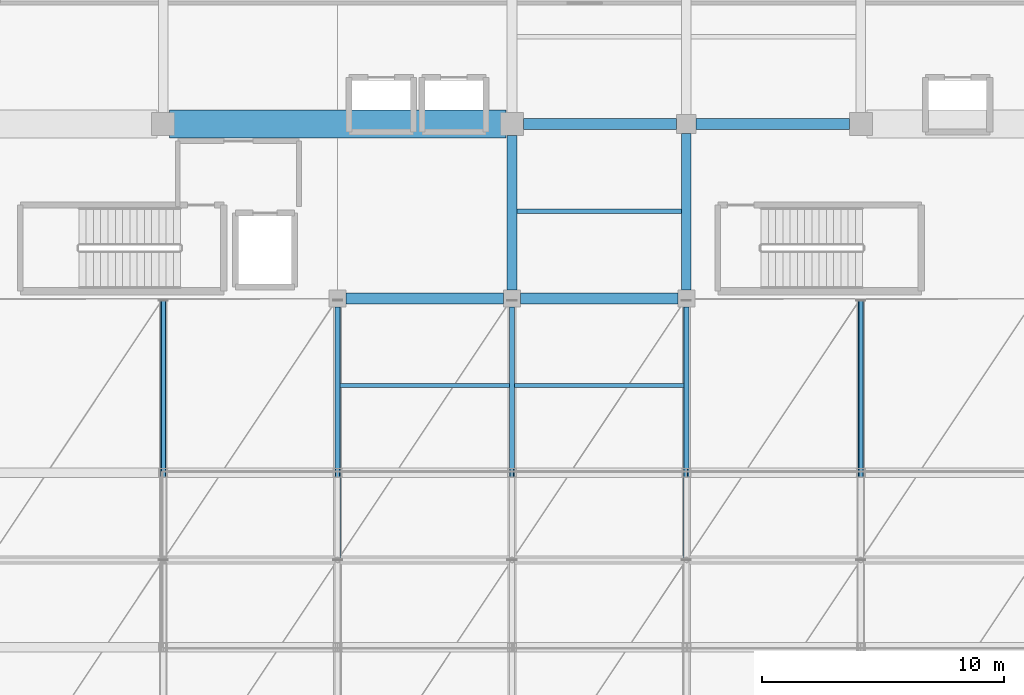
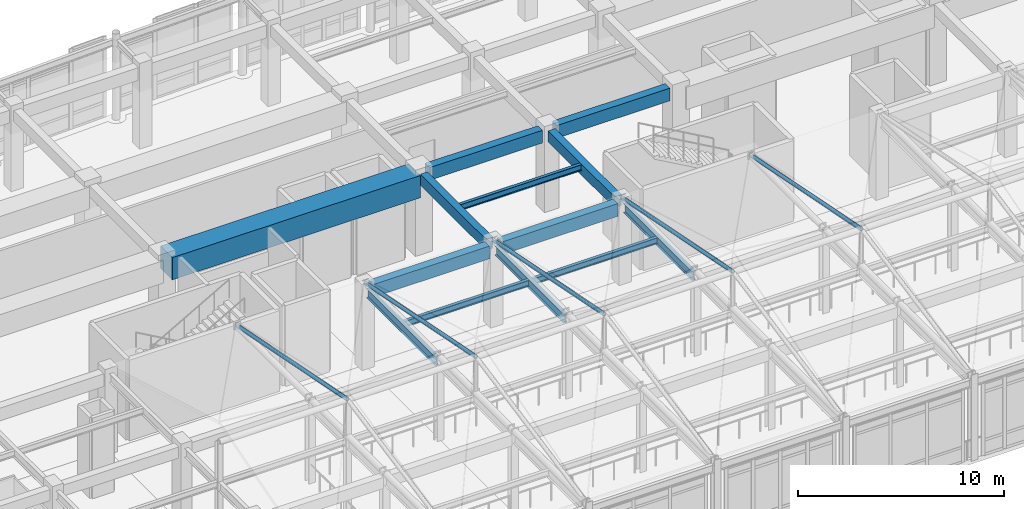
# One storey, part 41 of 117: 13 beams, 5 members.
"""IFC4 building model written with IfcOpenShell, lengths in metres."""

import ifcopenshell
import ifcopenshell.guid

model = None  # the IFC model being written
_history = None  # IfcOwnerHistory: only IFC2X3 demands one
_inside = {}  # id of a spatial element -> (the spatial element, [elements in it])
_under = {}  # id of a project, library or spatial element -> (it, [spatial elements below it])
_declared = {}  # id of a project -> (the project, [libraries it declares])
_typed = {}  # id of a type object -> (the type object, [elements of that type])
_made_of = {}  # id of a material, layer set ... -> (it, [elements and type objects made of it])


def new_model(schema):
    """Start an empty IFC model of exactly this schema.

    Asked for "IFC4X3", IfcOpenShell would pick the latest addendum, in which some entities
    have other attributes; the version numbers below select the first issue.
    IFC2X3 requires an IfcOwnerHistory on every rooted entity: one is made here for all.
    """
    global model, _history
    if schema == "IFC4X3":
        model = ifcopenshell.file(schema_version=(4, 3, 0, 0))
    else:
        model = ifcopenshell.file(schema=schema)
    _inside.clear()
    _under.clear()
    _declared.clear()
    _typed.clear()
    _made_of.clear()
    _history = None
    if model.schema == "IFC2X3":
        org = make("IfcOrganization", Name="unknown")
        user = make(
            "IfcPersonAndOrganization",
            ThePerson=make("IfcPerson", FamilyName="unknown"),
            TheOrganization=org,
        )
        app = make(
            "IfcApplication",
            ApplicationDeveloper=org,
            Version="unknown",
            ApplicationFullName="unknown",
            ApplicationIdentifier="unknown",
        )
        _history = make(
            "IfcOwnerHistory",
            OwningUser=user,
            OwningApplication=app,
            ChangeAction="ADDED",
            CreationDate=0,
        )
    return model


def make(cls, **values):
    """One entity of the class cls with the attributes given. An attribute that is None is left unset."""
    return model.create_entity(
        cls, **{name: value for name, value in values.items() if value is not None}
    )


def rooted(cls, **values):
    """An entity with a GlobalId (a new one), such as an element, a storey or a relation."""
    return make(cls, GlobalId=ifcopenshell.guid.new(), OwnerHistory=_history, **values)


def si_unit(unit_type, name, prefix=None):
    """IfcSIUnit, for example si_unit("LENGTHUNIT", "METRE", prefix="MILLI")."""
    return make("IfcSIUnit", UnitType=unit_type, Prefix=prefix, Name=name)


def assignment(units):
    """IfcUnitAssignment: the units of a project."""
    return None if units is None else make("IfcUnitAssignment", Units=units)


def point(xyz):
    """IfcCartesianPoint."""
    return None if xyz is None else make("IfcCartesianPoint", Coordinates=xyz)


def direction(xyz):
    """IfcDirection."""
    return None if xyz is None else make("IfcDirection", DirectionRatios=xyz)


def frame(location, z_axis=None, x_axis=None):
    """IfcAxis2Placement3D, a coordinate frame: its origin and axes. An axis left out is left unset."""
    return make(
        "IfcAxis2Placement3D",
        Location=point(location),
        Axis=direction(z_axis),
        RefDirection=direction(x_axis),
    )


def frame_2d(location, x_axis=None):
    """IfcAxis2Placement2D, a coordinate frame in the plane: its origin and x axis."""
    return make(
        "IfcAxis2Placement2D", Location=point(location), RefDirection=direction(x_axis)
    )


def origin():
    """The frame at (0, 0, 0) with its axes left unset."""
    return frame((0.0, 0.0, 0.0))


def origin_2d():
    """The frame at (0, 0) in the plane with its x axis left unset."""
    return frame_2d((0.0, 0.0))


def place(relative_to, where):
    """IfcLocalPlacement: puts the frame where relative to a parent placement (None: the world)."""
    return make(
        "IfcLocalPlacement", PlacementRelTo=relative_to, RelativePlacement=where
    )


def context(
    kind, dimensions, precision=None, world=None, true_north=None, identifier=None
):
    """IfcGeometricRepresentationContext, for example the 3D "Model" context."""
    return make(
        "IfcGeometricRepresentationContext",
        ContextIdentifier=identifier,
        ContextType=kind,
        CoordinateSpaceDimension=dimensions,
        Precision=precision,
        WorldCoordinateSystem=world,
        TrueNorth=true_north,
    )


def subcontext(parent, identifier, kind, view, scale=None):
    """IfcGeometricRepresentationSubContext, for example "Body" below "Model"."""
    return make(
        "IfcGeometricRepresentationSubContext",
        ContextIdentifier=identifier,
        ContextType=kind,
        ParentContext=parent,
        TargetScale=scale,
        TargetView=view,
    )


def project(units=None, contexts=None):
    """IfcProject with its units and contexts."""
    return rooted(
        "IfcProject",
        Name="project",
        RepresentationContexts=contexts,
        UnitsInContext=assignment(units),
    )


def spatial(cls, under=None, at=None, **own):
    """A site, building, storey or space (cls), placed at a placement, below another one or the project."""
    s = rooted(cls, ObjectPlacement=at, **own)
    if under is not None:
        _under.setdefault(under.id(), (under, []))[1].append(s)
    return s


def profile(cls, at=None, kind="AREA", **sizes):
    """A parametric profile (cls). Its sizes go by their IFC names, for example OverallWidth=200.0."""
    return make(cls, ProfileType=kind, Position=at, **sizes)


def rectangle(**sizes):
    """IfcRectangleProfileDef."""
    return profile("IfcRectangleProfileDef", **sizes)


def hollow_circle(**sizes):
    """IfcCircleHollowProfileDef."""
    return profile("IfcCircleHollowProfileDef", **sizes)


def i_section(**sizes):
    """IfcIShapeProfileDef."""
    return profile("IfcIShapeProfileDef", **sizes)


def extrude(swept, where, along, depth):
    """IfcExtrudedAreaSolid: the profile swept, set in the frame where, extruded along a direction by depth."""
    return make(
        "IfcExtrudedAreaSolid",
        SweptArea=swept,
        Position=where,
        ExtrudedDirection=direction(along),
        Depth=depth,
    )


def shape(context_of_items, identifier, shape_type, items):
    """IfcShapeRepresentation: the items that make up one representation, for example the "Body"."""
    return make(
        "IfcShapeRepresentation",
        ContextOfItems=context_of_items,
        RepresentationIdentifier=identifier,
        RepresentationType=shape_type,
        Items=items,
    )


def material(Name=None, Category=None):
    """IfcMaterial."""
    return make("IfcMaterial", Name=Name, Category=Category)


def material_profile(
    of_material, cross_section, Name=None, Category=None, Priority=None
):
    """IfcMaterialProfile: a cross section and its material."""
    return make(
        "IfcMaterialProfile",
        Name=Name,
        Material=of_material,
        Profile=cross_section,
        Priority=Priority,
        Category=Category,
    )


def profile_set(profiles, Name=None, composite=None):
    """IfcMaterialProfileSet."""
    return make(
        "IfcMaterialProfileSet",
        Name=Name,
        MaterialProfiles=profiles,
        CompositeProfile=composite,
    )


def made_of(thing, what):
    """Note that an element or type object is made of a material, layer set ...; save() writes the relation."""
    if what is not None:
        _made_of.setdefault(what.id(), (what, []))[1].append(thing)
    return thing


def type_object(cls, material=None, **own):
    """A type object (cls), such as IfcWallType, which elements share."""
    return made_of(rooted(cls, **own), material)


def element(
    cls,
    number,
    at=None,
    inside=None,
    cuts=None,
    type_object=None,
    material=None,
    context=None,
    identifier="Body",
    shape_type=None,
    held_by="IfcProductDefinitionShape",
    body=None,
    shapes=None,
    **own,
):
    """One element of the class cls, such as IfcWall. Its Tag is "e" and its number.

    at: its placement. inside: the storey or other place that contains it. cuts: it is an
    opening in that element (IfcRelVoidsElement). A single representation is given by context,
    identifier, shape_type and body (its items); several are given by shapes. held_by: the class
    of the entity that holds the representations. save() writes the other relations.
    """
    e = rooted(cls, Tag="e%d" % number, ObjectPlacement=at, **own)
    if body is not None:
        shapes = [shape(context, identifier, shape_type, body)]
    if shapes is not None:
        e.Representation = make(held_by, Representations=shapes)
    if inside is not None:
        _inside.setdefault(inside.id(), (inside, []))[1].append(e)
    if cuts is not None:
        rooted(
            "IfcRelVoidsElement", RelatingBuildingElement=cuts, RelatedOpeningElement=e
        )
    if type_object is not None:
        _typed.setdefault(type_object.id(), (type_object, []))[1].append(e)
    return made_of(e, material)


def aggregate(whole, parts):
    """IfcRelAggregates: a whole, such as a stair, and the parts it consists of."""
    return rooted("IfcRelAggregates", RelatingObject=whole, RelatedObjects=parts)


def save(model, path):
    """Write the relations noted so far, then the file.

    IfcRelAggregates (storeys below a building ...), IfcRelContainedInSpatialStructure (elements
    in a storey), IfcRelDefinesByType, IfcRelAssociatesMaterial and IfcRelDeclares: one each for
    every whole, place, type object, material and project.
    """
    for whole, parts in _under.values():
        aggregate(whole, parts)
    for where, things in _inside.values():
        rooted(
            "IfcRelContainedInSpatialStructure",
            RelatedElements=things,
            RelatingStructure=where,
        )
    for kind, things in _typed.values():
        rooted("IfcRelDefinesByType", RelatedObjects=things, RelatingType=kind)
    for what, things in _made_of.values():
        rooted("IfcRelAssociatesMaterial", RelatedObjects=things, RelatingMaterial=what)
    for by, libraries in _declared.values():
        rooted("IfcRelDeclares", RelatingContext=by, RelatedDefinitions=libraries)
    model.write(path)


model = new_model("IFC4")

# Units and contexts
model_context = context("Model", 3, precision=1e-05, world=origin(), true_north=direction((0.0, 1.0)))
body_context = subcontext(model_context, "Body", "Model", "MODEL_VIEW")
ifc_project = project(units=[si_unit("LENGTHUNIT", "METRE"), si_unit("AREAUNIT", "SQUARE_METRE"), si_unit("VOLUMEUNIT", "CUBIC_METRE"), si_unit("PLANEANGLEUNIT", "RADIAN"), si_unit("MASSUNIT", "GRAM", prefix="KILO")], contexts=[model_context])

# Site, building, storey
site_placement = place(None, origin())
site = spatial("IfcSite", under=ifc_project, at=site_placement, CompositionType="ELEMENT")
building_placement = place(site_placement, origin())
building = spatial("IfcBuilding", under=site, at=building_placement, Name="Carrowvane Square Congress Hotel", CompositionType="ELEMENT")
storey_placement = place(building_placement, frame((0.0, 0.0, 5.39990234375)))
storey = spatial("IfcBuildingStorey", under=building, at=storey_placement, Name="L01", CompositionType="ELEMENT", Elevation=5.39990234375)

# Beams
ifc_material_1 = material(Name="Concrete C35/45", Category="concrete")
ifc_material_profile_1 = material_profile(ifc_material_1, rectangle(XDim=0.39990234375, YDim=0.64990234375, at=origin_2d()), Name="RC 400x650")
ifc_profile_set_1 = profile_set([ifc_material_profile_1], Name="Concrete C35/45")
beam_type_1 = type_object("IfcBeamType", Name="BM-RC-400x650", PredefinedType="BEAM", material=ifc_profile_set_1)
beam_1_placement = place(storey_placement, frame((90.800048828125, 92.14990234375, 4.455078125), z_axis=(0.0, 1.0, 0.0), x_axis=(-1.0, 0.0, 0.0)))
element("IfcBeam", 1, at=beam_1_placement, inside=storey, type_object=beam_type_1, Name="L02 girder 12/N-P", PredefinedType="BEAM", context=body_context, shape_type="SweptSolid", body=[
    extrude(rectangle(XDim=0.39990234375, YDim=0.64990234375, at=origin_2d()), origin(), (0.0, 0.0, 1.0), 6.375),
])
beam_2_placement = place(storey_placement, frame((98.0, 92.14990234375, 4.455078125), z_axis=(0.0, 1.0, 0.0), x_axis=(-1.0, 0.0, 0.0)))
element("IfcBeam", 2, at=beam_2_placement, inside=storey, type_object=beam_type_1, Name="L02 girder 13/N-P", PredefinedType="BEAM", context=body_context, shape_type="SweptSolid", body=[
    extrude(rectangle(XDim=0.39990234375, YDim=0.64990234375, at=origin_2d()), origin(), (0.0, 0.0, 1.0), 6.4501953125),
])
ifc_material_2 = material(Name="Concrete C35/45", Category="concrete")
ifc_material_profile_2 = material_profile(ifc_material_2, rectangle(XDim=0.449951171875, YDim=0.75, at=origin_2d()), Name="RC 450x750")
ifc_profile_set_2 = profile_set([ifc_material_profile_2], Name="Concrete C35/45")
beam_type_2 = type_object("IfcBeamType", Name="BM-RC-450x750", PredefinedType="USERDEFINED", material=ifc_profile_set_2)
for number, where, z_axis, x_axis, name in (
    (3, (83.949951171875, 91.800048828125, 4.405029296875), (1.0, 0.0, 0.0), (0.0, 1.0, 0.0), "L02 girder N/11-12"),
    (4, (91.14990234375, 91.800048828125, 4.405029296875), (1.0, 0.0, 0.0), (0.0, 1.0, 0.0), "L02 girder N/12-13"),
):
    element("IfcBeam", number, at=place(storey_placement, frame(where, z_axis=z_axis, x_axis=x_axis)), inside=storey, type_object=beam_type_2, Name=name, ObjectType="GIRDER", PredefinedType="USERDEFINED", context=body_context, shape_type="SweptSolid", body=[
        extrude(rectangle(XDim=0.449951171875, YDim=0.75, at=origin_2d()), origin(), (0.0, 0.0, 1.0), 6.5),
    ])
for number, where, z_axis, x_axis, name in (
    (5, (91.27490234375, 99.0, 4.405029296875), (1.0, 0.0, 0.0), (0.0, 1.0, 0.0), "L02 girder P/12-13"),
    (6, (98.39990234375, 99.0, 4.405029296875), (1.0, 0.0, 0.0), (0.0, 1.0, 0.0), "L02 girder P/13-14"),
):
    element("IfcBeam", number, at=place(storey_placement, frame(where, z_axis=z_axis, x_axis=x_axis)), inside=storey, type_object=beam_type_2, Name=name, ObjectType="GIRDER", PredefinedType="USERDEFINED", context=body_context, shape_type="SweptSolid", body=[
        extrude(rectangle(XDim=0.449951171875, YDim=0.75, at=origin_2d()), origin(), (0.0, 0.0, 1.0), 6.3251953125),
    ])
ifc_material_3 = material(Name="Steel S355", Category="steel")
ifc_material_profile_3 = material_profile(ifc_material_3, i_section(OverallWidth=0.172119140625, OverallDepth=0.35791015625, WebThickness=0.008056640625, FlangeThickness=0.012939453125, FilletRadius=0.01025390625, at=origin_2d()), Name="UKB 356x171x57")
ifc_profile_set_3 = profile_set([ifc_material_profile_3], Name="Steel S355")
beam_type_3 = type_object("IfcBeamType", Name="BM-ST-UKB356", PredefinedType="JOIST", material=ifc_profile_set_3)
for number, where, z_axis, x_axis, name in (
    (7, (83.705078125, 88.199951171875, 4.60107421875), (1.0, 0.0, 0.0), (0.0, 1.0, 0.0), "L02 secondary joist 11-12"),
    (8, (90.905029296875, 88.199951171875, 4.60107421875), (1.0, 0.0, 0.0), (0.0, 1.0, 0.0), "L02 secondary joist 12-13"),
):
    element("IfcBeam", number, at=place(storey_placement, frame(where, z_axis=z_axis, x_axis=x_axis)), inside=storey, type_object=beam_type_3, Name=name, PredefinedType="JOIST", context=body_context, shape_type="SweptSolid", body=[
        extrude(i_section(OverallWidth=0.172119140625, OverallDepth=0.35791015625, WebThickness=0.008056640625, FlangeThickness=0.012939453125, FilletRadius=0.01025390625, at=origin_2d()), origin(), (0.0, 0.0, 1.0), 6.989990234375),
    ])
beam_3_placement = place(storey_placement, frame((91.0, 95.39990234375, 4.60107421875), z_axis=(1.0, 0.0, 0.0), x_axis=(0.0, 1.0, 0.0)))
element("IfcBeam", 9, at=beam_3_placement, inside=storey, type_object=beam_type_3, Name="L02 secondary joist 12-13", PredefinedType="JOIST", context=body_context, shape_type="SweptSolid", body=[
    extrude(i_section(OverallWidth=0.172119140625, OverallDepth=0.35791015625, WebThickness=0.008056640625, FlangeThickness=0.012939453125, FilletRadius=0.01025390625, at=origin_2d()), origin(), (0.0, 0.0, 1.0), 6.800048828125),
])
ifc_material_4 = material(Name="Steel S355", Category="steel")
ifc_material_profile_4 = material_profile(ifc_material_4, i_section(OverallWidth=0.2099609375, OverallDepth=0.53662109375, WebThickness=0.0107421875, FlangeThickness=0.017333984375, FilletRadius=0.0126953125, at=origin_2d()), Name="UKB 533x210x101")
ifc_profile_set_4 = profile_set([ifc_material_profile_4], Name="Steel S355")
beam_type_4 = type_object("IfcBeamType", Name="BM-ST-UKB533", PredefinedType="USERDEFINED", material=ifc_profile_set_4)
for number, where, z_axis, x_axis, name in (
    (10, (83.60009765625, 84.781005859375, 4.51171875), (0.0, 1.0, 0.0), (-1.0, 0.0, 0.0), "L02 girder 11/M-N"),
    (11, (90.800048828125, 84.781005859375, 4.51171875), (0.0, 1.0, 0.0), (-1.0, 0.0, 0.0), "L02 girder 12/M-N"),
    (12, (98.0, 84.781005859375, 4.51171875), (0.0, 1.0, 0.0), (-1.0, 0.0, 0.0), "L02 girder 13/M-N"),
):
    element("IfcBeam", number, at=place(storey_placement, frame(where, z_axis=z_axis, x_axis=x_axis)), inside=storey, type_object=beam_type_4, Name=name, ObjectType="GIRDER", PredefinedType="USERDEFINED", context=body_context, shape_type="SweptSolid", body=[
        extrude(i_section(OverallWidth=0.2099609375, OverallDepth=0.53662109375, WebThickness=0.0107421875, FlangeThickness=0.017333984375, FilletRadius=0.0126953125, at=origin_2d()), origin(), (0.0, 0.0, 1.0), 6.6689453125),
    ])

# Members
ifc_material_5 = material(Name="Steel S355", Category="steel")
ifc_material_profile_5 = material_profile(ifc_material_5, hollow_circle(Radius=0.109619140625, WallThickness=0.012451171875, at=origin_2d()), Name="CHS 219.1x12.5")
ifc_profile_set_5 = profile_set([ifc_material_profile_5], Name="Steel S355")
member_type = type_object("IfcMemberType", Name="MEM-ST-CHS219", PredefinedType="STRUT", material=ifc_profile_set_5)
for number, where, z_axis, x_axis, name in (
    (13, (76.39990234375, 81.0, 7.045654296875), (0.0, 0.980904965039, -0.19448765915), (-1.0, 0.0, 0.0), "Public passage canopy strut N-1"),
    (14, (83.60009765625, 81.0, 7.045654296875), (0.0, 0.980904965039, -0.19448765915), (-1.0, 0.0, 0.0), "Public passage canopy strut N-2"),
    (15, (90.800048828125, 81.0, 7.045654296875), (0.0, 0.980904965039, -0.19448765915), (-1.0, 0.0, 0.0), "Public passage canopy strut N-3"),
    (16, (98.0, 81.0, 7.045654296875), (0.0, 0.980904965039, -0.19448765915), (-1.0, 0.0, 0.0), "Public passage canopy strut N-4"),
    (17, (105.199951171875, 81.0, 7.045654296875), (0.0, 0.980904965039, -0.19448765915), (-1.0, 0.0, 0.0), "Public passage canopy strut N-5"),
):
    element("IfcMember", number, at=place(storey_placement, frame(where, z_axis=z_axis, x_axis=x_axis)), inside=storey, type_object=member_type, Name=name, PredefinedType="STRUT", context=body_context, shape_type="SweptSolid", body=[
        extrude(hollow_circle(Radius=0.109619140625, WallThickness=0.012451171875, at=origin_2d()), origin(), (0.0, 0.0, 1.0), 10.9287109375),
    ])

# Beam
ifc_material_6 = material(Name="Concrete C40/50", Category="concrete")
ifc_material_profile_6 = material_profile(ifc_material_6, rectangle(XDim=1.14990234375, YDim=1.320068359375, at=origin_2d()), Name="RC 1150x1320")
ifc_profile_set_6 = profile_set([ifc_material_profile_6], Name="Concrete C40/50")
beam_type_5 = type_object("IfcBeamType", Name="TG-RC-1000x1650", PredefinedType="USERDEFINED", material=ifc_profile_set_6)
beam_4_placement = place(storey_placement, frame((76.64990234375, 99.0, 4.1201171875), z_axis=(1.0, 0.0, 0.0), x_axis=(0.0, 1.0, 0.0)))
element("IfcBeam", 18, at=beam_4_placement, inside=storey, type_object=beam_type_5, Name="L02 transfer girder 10-12/P", ObjectType="GIRDER", PredefinedType="USERDEFINED", context=body_context, shape_type="SweptSolid", body=[
    extrude(rectangle(XDim=1.14990234375, YDim=1.320068359375, at=origin_2d()), origin(), (0.0, 0.0, 1.0), 13.900146484375),
])

save(model, "model.ifc")
